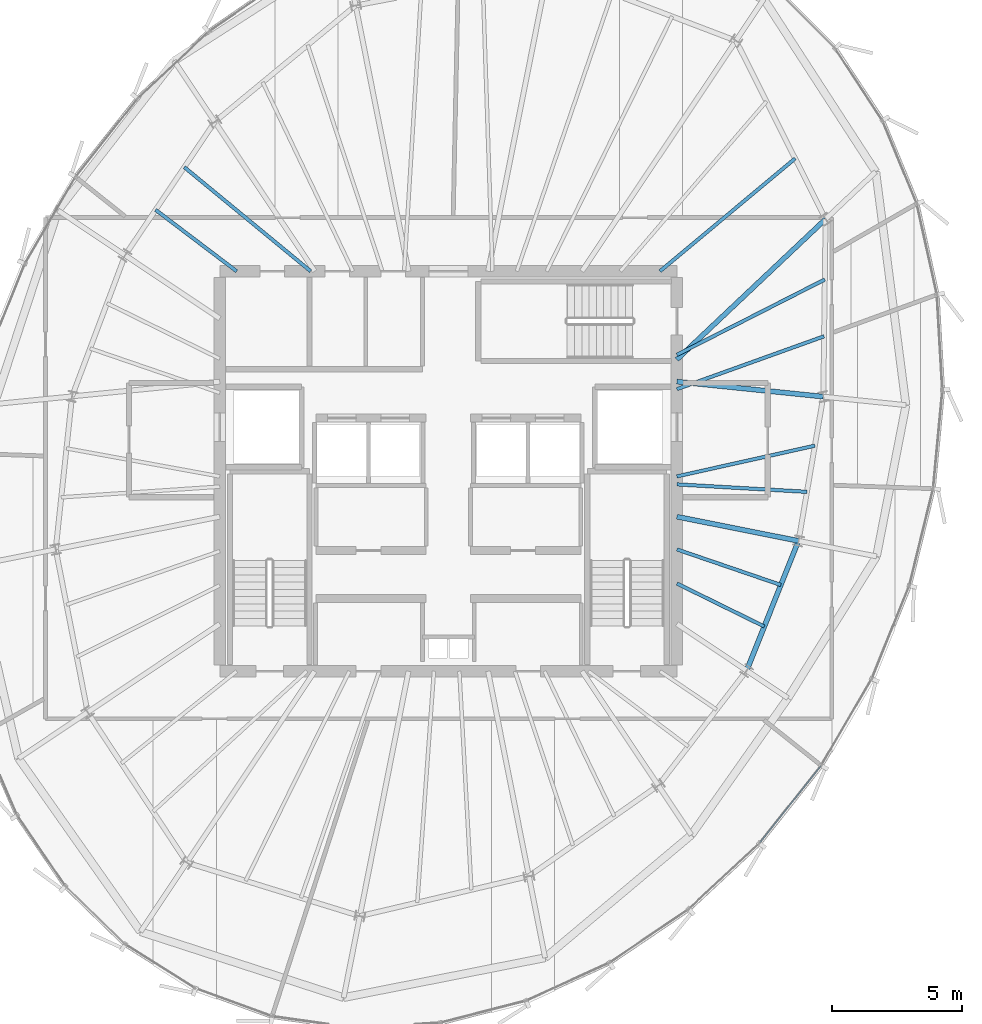
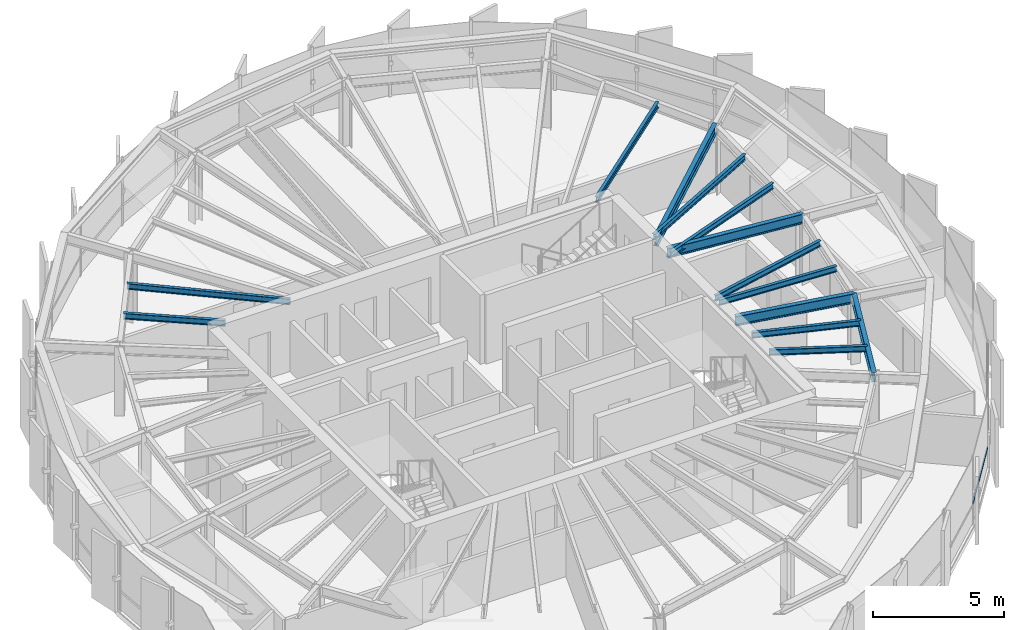
# One storey, part 13 of 31: 13 beams, 1 member, 1 element without a shape of its own.
"""IFC4 building model written with IfcOpenShell, lengths in metres."""

import ifcopenshell
import ifcopenshell.guid

model = None  # the IFC model being written
_history = None  # IfcOwnerHistory: only IFC2X3 demands one
_inside = {}  # id of a spatial element -> (the spatial element, [elements in it])
_under = {}  # id of a project, library or spatial element -> (it, [spatial elements below it])
_declared = {}  # id of a project -> (the project, [libraries it declares])
_typed = {}  # id of a type object -> (the type object, [elements of that type])
_made_of = {}  # id of a material, layer set ... -> (it, [elements and type objects made of it])


def new_model(schema):
    """Start an empty IFC model of exactly this schema.

    Asked for "IFC4X3", IfcOpenShell would pick the latest addendum, in which some entities
    have other attributes; the version numbers below select the first issue.
    IFC2X3 requires an IfcOwnerHistory on every rooted entity: one is made here for all.
    """
    global model, _history
    if schema == "IFC4X3":
        model = ifcopenshell.file(schema_version=(4, 3, 0, 0))
    else:
        model = ifcopenshell.file(schema=schema)
    _inside.clear()
    _under.clear()
    _declared.clear()
    _typed.clear()
    _made_of.clear()
    _history = None
    if model.schema == "IFC2X3":
        org = make("IfcOrganization", Name="unknown")
        user = make(
            "IfcPersonAndOrganization",
            ThePerson=make("IfcPerson", FamilyName="unknown"),
            TheOrganization=org,
        )
        app = make(
            "IfcApplication",
            ApplicationDeveloper=org,
            Version="unknown",
            ApplicationFullName="unknown",
            ApplicationIdentifier="unknown",
        )
        _history = make(
            "IfcOwnerHistory",
            OwningUser=user,
            OwningApplication=app,
            ChangeAction="ADDED",
            CreationDate=0,
        )
    return model


def make(cls, **values):
    """One entity of the class cls with the attributes given. An attribute that is None is left unset."""
    return model.create_entity(
        cls, **{name: value for name, value in values.items() if value is not None}
    )


def rooted(cls, **values):
    """An entity with a GlobalId (a new one), such as an element, a storey or a relation."""
    return make(cls, GlobalId=ifcopenshell.guid.new(), OwnerHistory=_history, **values)


def si_unit(unit_type, name, prefix=None):
    """IfcSIUnit, for example si_unit("LENGTHUNIT", "METRE", prefix="MILLI")."""
    return make("IfcSIUnit", UnitType=unit_type, Prefix=prefix, Name=name)


def assignment(units):
    """IfcUnitAssignment: the units of a project."""
    return None if units is None else make("IfcUnitAssignment", Units=units)


def point(xyz):
    """IfcCartesianPoint."""
    return None if xyz is None else make("IfcCartesianPoint", Coordinates=xyz)


def direction(xyz):
    """IfcDirection."""
    return None if xyz is None else make("IfcDirection", DirectionRatios=xyz)


def frame(location, z_axis=None, x_axis=None):
    """IfcAxis2Placement3D, a coordinate frame: its origin and axes. An axis left out is left unset."""
    return make(
        "IfcAxis2Placement3D",
        Location=point(location),
        Axis=direction(z_axis),
        RefDirection=direction(x_axis),
    )


def frame_2d(location, x_axis=None):
    """IfcAxis2Placement2D, a coordinate frame in the plane: its origin and x axis."""
    return make(
        "IfcAxis2Placement2D", Location=point(location), RefDirection=direction(x_axis)
    )


def origin():
    """The frame at (0, 0, 0) with its axes left unset."""
    return frame((0.0, 0.0, 0.0))


def origin_2d():
    """The frame at (0, 0) in the plane with its x axis left unset."""
    return frame_2d((0.0, 0.0))


def place(relative_to, where):
    """IfcLocalPlacement: puts the frame where relative to a parent placement (None: the world)."""
    return make(
        "IfcLocalPlacement", PlacementRelTo=relative_to, RelativePlacement=where
    )


def context(
    kind, dimensions, precision=None, world=None, true_north=None, identifier=None
):
    """IfcGeometricRepresentationContext, for example the 3D "Model" context."""
    return make(
        "IfcGeometricRepresentationContext",
        ContextIdentifier=identifier,
        ContextType=kind,
        CoordinateSpaceDimension=dimensions,
        Precision=precision,
        WorldCoordinateSystem=world,
        TrueNorth=true_north,
    )


def subcontext(parent, identifier, kind, view, scale=None):
    """IfcGeometricRepresentationSubContext, for example "Body" below "Model"."""
    return make(
        "IfcGeometricRepresentationSubContext",
        ContextIdentifier=identifier,
        ContextType=kind,
        ParentContext=parent,
        TargetScale=scale,
        TargetView=view,
    )


def project(units=None, contexts=None):
    """IfcProject with its units and contexts."""
    return rooted(
        "IfcProject",
        Name="project",
        RepresentationContexts=contexts,
        UnitsInContext=assignment(units),
    )


def spatial(cls, under=None, at=None, **own):
    """A site, building, storey or space (cls), placed at a placement, below another one or the project."""
    s = rooted(cls, ObjectPlacement=at, **own)
    if under is not None:
        _under.setdefault(under.id(), (under, []))[1].append(s)
    return s


def profile(cls, at=None, kind="AREA", **sizes):
    """A parametric profile (cls). Its sizes go by their IFC names, for example OverallWidth=200.0."""
    return make(cls, ProfileType=kind, Position=at, **sizes)


def hollow_rectangle(**sizes):
    """IfcRectangleHollowProfileDef."""
    return profile("IfcRectangleHollowProfileDef", **sizes)


def i_section(**sizes):
    """IfcIShapeProfileDef."""
    return profile("IfcIShapeProfileDef", **sizes)


def extrude(swept, where, along, depth):
    """IfcExtrudedAreaSolid: the profile swept, set in the frame where, extruded along a direction by depth."""
    return make(
        "IfcExtrudedAreaSolid",
        SweptArea=swept,
        Position=where,
        ExtrudedDirection=direction(along),
        Depth=depth,
    )


def shape(context_of_items, identifier, shape_type, items):
    """IfcShapeRepresentation: the items that make up one representation, for example the "Body"."""
    return make(
        "IfcShapeRepresentation",
        ContextOfItems=context_of_items,
        RepresentationIdentifier=identifier,
        RepresentationType=shape_type,
        Items=items,
    )


def source(mapping_origin, context_of_items, identifier, shape_type, items):
    """IfcRepresentationMap: a shape defined once, which mapped items show again and again."""
    return make(
        "IfcRepresentationMap",
        MappingOrigin=mapping_origin,
        MappedRepresentation=shape(context_of_items, identifier, shape_type, items),
    )


def transform(
    local_origin,
    x_axis=None,
    y_axis=None,
    z_axis=None,
    scale=None,
    scale2=None,
    scale3=None,
    uniform=True,
):
    """IfcCartesianTransformationOperator3D, or its non-uniform kind. x_axis, y_axis, z_axis: its Axis1, 2, 3."""
    if uniform:
        return make(
            "IfcCartesianTransformationOperator3D",
            Axis1=direction(x_axis),
            Axis2=direction(y_axis),
            LocalOrigin=point(local_origin),
            Scale=scale,
            Axis3=direction(z_axis),
        )
    return make(
        "IfcCartesianTransformationOperator3DnonUniform",
        Axis1=direction(x_axis),
        Axis2=direction(y_axis),
        LocalOrigin=point(local_origin),
        Scale=scale,
        Axis3=direction(z_axis),
        Scale2=scale2,
        Scale3=scale3,
    )


def mapped(mapping_source, mapping_target):
    """IfcMappedItem: shows the shape of a source again, moved by a transform."""
    return make(
        "IfcMappedItem", MappingSource=mapping_source, MappingTarget=mapping_target
    )


def material(Name=None, Category=None):
    """IfcMaterial."""
    return make("IfcMaterial", Name=Name, Category=Category)


def layer(
    of_material, thickness, ventilated=None, Name=None, Category=None, Priority=None
):
    """IfcMaterialLayer: one layer of a wall or slab, of a material (None: an air gap)."""
    return make(
        "IfcMaterialLayer",
        Material=of_material,
        LayerThickness=thickness,
        IsVentilated=ventilated,
        Name=Name,
        Category=Category,
        Priority=Priority,
    )


def layer_set(layers, Name=None):
    """IfcMaterialLayerSet."""
    return make("IfcMaterialLayerSet", MaterialLayers=layers, LayerSetName=Name)


def material_profile(
    of_material, cross_section, Name=None, Category=None, Priority=None
):
    """IfcMaterialProfile: a cross section and its material."""
    return make(
        "IfcMaterialProfile",
        Name=Name,
        Material=of_material,
        Profile=cross_section,
        Priority=Priority,
        Category=Category,
    )


def profile_set(profiles, Name=None, composite=None):
    """IfcMaterialProfileSet."""
    return make(
        "IfcMaterialProfileSet",
        Name=Name,
        MaterialProfiles=profiles,
        CompositeProfile=composite,
    )


def made_of(thing, what):
    """Note that an element or type object is made of a material, layer set ...; save() writes the relation."""
    if what is not None:
        _made_of.setdefault(what.id(), (what, []))[1].append(thing)
    return thing


def type_object(cls, material=None, **own):
    """A type object (cls), such as IfcWallType, which elements share."""
    return made_of(rooted(cls, **own), material)


def element(
    cls,
    number,
    at=None,
    inside=None,
    cuts=None,
    type_object=None,
    material=None,
    context=None,
    identifier="Body",
    shape_type=None,
    held_by="IfcProductDefinitionShape",
    body=None,
    shapes=None,
    **own,
):
    """One element of the class cls, such as IfcWall. Its Tag is "e" and its number.

    at: its placement. inside: the storey or other place that contains it. cuts: it is an
    opening in that element (IfcRelVoidsElement). A single representation is given by context,
    identifier, shape_type and body (its items); several are given by shapes. held_by: the class
    of the entity that holds the representations. save() writes the other relations.
    """
    e = rooted(cls, Tag="e%d" % number, ObjectPlacement=at, **own)
    if body is not None:
        shapes = [shape(context, identifier, shape_type, body)]
    if shapes is not None:
        e.Representation = make(held_by, Representations=shapes)
    if inside is not None:
        _inside.setdefault(inside.id(), (inside, []))[1].append(e)
    if cuts is not None:
        rooted(
            "IfcRelVoidsElement", RelatingBuildingElement=cuts, RelatedOpeningElement=e
        )
    if type_object is not None:
        _typed.setdefault(type_object.id(), (type_object, []))[1].append(e)
    return made_of(e, material)


def aggregate(whole, parts):
    """IfcRelAggregates: a whole, such as a stair, and the parts it consists of."""
    return rooted("IfcRelAggregates", RelatingObject=whole, RelatedObjects=parts)


def save(model, path):
    """Write the relations noted so far, then the file.

    IfcRelAggregates (storeys below a building ...), IfcRelContainedInSpatialStructure (elements
    in a storey), IfcRelDefinesByType, IfcRelAssociatesMaterial and IfcRelDeclares: one each for
    every whole, place, type object, material and project.
    """
    for whole, parts in _under.values():
        aggregate(whole, parts)
    for where, things in _inside.values():
        rooted(
            "IfcRelContainedInSpatialStructure",
            RelatedElements=things,
            RelatingStructure=where,
        )
    for kind, things in _typed.values():
        rooted("IfcRelDefinesByType", RelatedObjects=things, RelatingType=kind)
    for what, things in _made_of.values():
        rooted("IfcRelAssociatesMaterial", RelatedObjects=things, RelatingMaterial=what)
    for by, libraries in _declared.values():
        rooted("IfcRelDeclares", RelatingContext=by, RelatedDefinitions=libraries)
    model.write(path)


model = new_model("IFC4")

# Units and contexts
model_context = context("Model", 3, precision=1e-05, world=origin(), true_north=direction((0.0, 1.0)))
body_context = subcontext(model_context, "Body", "Model", "MODEL_VIEW")
ifc_project = project(units=[si_unit("LENGTHUNIT", "METRE"), si_unit("AREAUNIT", "SQUARE_METRE"), si_unit("VOLUMEUNIT", "CUBIC_METRE"), si_unit("PLANEANGLEUNIT", "RADIAN"), si_unit("MASSUNIT", "GRAM", prefix="KILO"), si_unit("THERMODYNAMICTEMPERATUREUNIT", "KELVIN")], contexts=[model_context])

# Site, building, storey
site_placement = place(None, origin())
site = spatial("IfcSite", under=ifc_project, at=site_placement, CompositionType="ELEMENT")
building_placement = place(site_placement, origin())
building = spatial("IfcBuilding", under=site, at=building_placement, Name="Kethvar Cultural Tower", CompositionType="ELEMENT")
storey_placement = place(building_placement, frame((0.0, 0.0, 290.5)))
storey = spatial("IfcBuildingStorey", under=building, at=storey_placement, Name="L77", CompositionType="ELEMENT", Elevation=290.5)

# Beams
ifc_material_1 = material(Name="Steel S355J2", Category="steel")
ifc_material_profile_1 = material_profile(ifc_material_1, i_section(OverallWidth=0.18994140625, OverallDepth=0.449951171875, WebThickness=0.009521484375, FlangeThickness=0.0146484375, FilletRadius=0.02099609375, at=origin_2d()), Name="Steel S355J2 — IPE450")
ifc_profile_set_1 = profile_set([ifc_material_profile_1], Name="Steel S355J2 — IPE450")
beam_type_1 = type_object("IfcBeamType", Name="BM-IPE450", PredefinedType="BEAM", material=ifc_profile_set_1)
shared_shape_1 = source(origin(), body_context, "Body", "SweptSolid", [
    extrude(i_section(OverallWidth=0.18994140625, OverallDepth=0.449951171875, WebThickness=0.009521484375, FlangeThickness=0.0146484375, FilletRadius=0.02099609375, at=origin_2d()), origin(), (0.0, 0.0, 1.0), 5.66650390625),
])
beam_1_placement = place(storey_placement, frame((55.60009765625, 31.25, 2.98291015625), z_axis=(0.994777513459, -0.102067128476, 0.0), x_axis=(0.102067128476, 0.994777513459, 0.0)))
element("IfcBeam", 1, at=beam_1_placement, inside=storey, type_object=beam_type_1, Name="L77 Primary Radial Beam RB-01", PredefinedType="BEAM", context=body_context, shape_type="MappedRepresentation", body=[
    mapped(shared_shape_1, transform((0.0, 0.0, 0.0), scale=1.0)),
])
shared_shape_2 = source(origin(), body_context, "Body", "SweptSolid", [
    extrude(i_section(OverallWidth=0.18994140625, OverallDepth=0.449951171875, WebThickness=0.009521484375, FlangeThickness=0.0146484375, FilletRadius=0.02099609375, at=origin_2d()), origin(), (0.0, 0.0, 1.0), 7.874267578125),
])
beam_2_placement = place(storey_placement, frame((55.60009765625, 32.10009765625, 2.98291015625), z_axis=(0.727123202456, 0.686506990823, 0.0), x_axis=(-0.686506990823, 0.727123202456, 0.0)))
element("IfcBeam", 2, at=beam_2_placement, inside=storey, type_object=beam_type_1, Name="L77 Primary Radial Beam RB-02", PredefinedType="BEAM", context=body_context, shape_type="MappedRepresentation", body=[
    mapped(shared_shape_2, transform((0.0, 0.0, 0.0), scale=1.0)),
])
shared_shape_3 = source(origin(), body_context, "Body", "SweptSolid", [
    extrude(i_section(OverallWidth=0.18994140625, OverallDepth=0.449951171875, WebThickness=0.009521484375, FlangeThickness=0.0146484375, FilletRadius=0.02099609375, at=origin_2d()), origin(), (0.0, 0.0, 1.0), 4.775390625),
])
beam_3_placement = place(storey_placement, frame((55.60009765625, 26.049560546875, 2.98291015625), z_axis=(0.980784643133, -0.195093525761, 0.0), x_axis=(0.195093525761, 0.980784643133, 0.0)))
element("IfcBeam", 3, at=beam_3_placement, inside=storey, type_object=beam_type_1, Name="L77 Primary Radial Beam RB-16", PredefinedType="BEAM", context=body_context, shape_type="MappedRepresentation", body=[
    mapped(shared_shape_3, transform((0.0, 0.0, 0.0), scale=1.0)),
])
ifc_material_profile_2 = material_profile(ifc_material_1, i_section(OverallWidth=0.135009765625, OverallDepth=0.27001953125, WebThickness=0.006591796875, FlangeThickness=0.01025390625, FilletRadius=0.014892578125, at=origin_2d()), Name="Steel S355J2 — IPE270")
ifc_profile_set_2 = profile_set([ifc_material_profile_2], Name="Steel S355J2 — IPE270")
beam_type_2 = type_object("IfcBeamType", Name="BM-J270", PredefinedType="JOIST", material=ifc_profile_set_2)
shared_shape_4 = source(origin(), body_context, "Body", "SweptSolid", [
    extrude(i_section(OverallWidth=0.135009765625, OverallDepth=0.27001953125, WebThickness=0.006591796875, FlangeThickness=0.01025390625, FilletRadius=0.014892578125, at=origin_2d()), origin(), (0.0, 0.0, 1.0), 6.021240234375),
])
beam_4_placement = place(storey_placement, frame((55.60009765625, 30.960205078125, 3.072998046875), z_axis=(0.94114970072, 0.337990001086, 0.0), x_axis=(-0.337990001086, 0.94114970072, 0.0)))
element("IfcBeam", 4, at=beam_4_placement, inside=storey, type_object=beam_type_2, Name="L77 Composite Floor Joist J-01A", PredefinedType="JOIST", context=body_context, shape_type="MappedRepresentation", body=[
    mapped(shared_shape_4, transform((0.0, 0.0, 0.0), scale=1.0)),
])
shared_shape_5 = source(origin(), body_context, "Body", "SweptSolid", [
    extrude(i_section(OverallWidth=0.135009765625, OverallDepth=0.27001953125, WebThickness=0.006591796875, FlangeThickness=0.01025390625, FilletRadius=0.014892578125, at=origin_2d()), origin(), (0.0, 0.0, 1.0), 6.3916015625),
])
beam_5_placement = place(storey_placement, frame((55.60009765625, 32.281494140625, 3.072998046875), z_axis=(0.891094874615, 0.453817060538, 0.0), x_axis=(-0.453817060538, 0.891094874615, 0.0)))
element("IfcBeam", 5, at=beam_5_placement, inside=storey, type_object=beam_type_2, Name="L77 Composite Floor Joist J-01B", PredefinedType="JOIST", context=body_context, shape_type="MappedRepresentation", body=[
    mapped(shared_shape_5, transform((0.0, 0.0, 0.0), scale=1.0)),
])
shared_shape_6 = source(origin(), body_context, "Body", "SweptSolid", [
    extrude(i_section(OverallWidth=0.135009765625, OverallDepth=0.27001953125, WebThickness=0.006591796875, FlangeThickness=0.01025390625, FilletRadius=0.014892578125, at=origin_2d()), origin(), (0.0, 0.0, 1.0), 6.776123046875),
])
beam_6_placement = place(storey_placement, frame((54.949951171875, 35.5, 3.072998046875), z_axis=(0.767801747857, 0.6406875026, 0.0), x_axis=(-0.6406875026, 0.767801747857, 0.0)))
element("IfcBeam", 6, at=beam_6_placement, inside=storey, type_object=beam_type_2, Name="L77 Composite Floor Joist J-02A", PredefinedType="JOIST", context=body_context, shape_type="MappedRepresentation", body=[
    mapped(shared_shape_6, transform((0.0, 0.0, 0.0), scale=1.0)),
])
shared_shape_7 = source(origin(), body_context, "Body", "SweptSolid", [
    extrude(i_section(OverallWidth=0.135009765625, OverallDepth=0.27001953125, WebThickness=0.006591796875, FlangeThickness=0.01025390625, FilletRadius=0.014892578125, at=origin_2d()), origin(), (0.0, 0.0, 1.0), 6.302978515625),
])
beam_7_placement = place(storey_placement, frame((41.5, 35.5, 3.072998046875), z_axis=(-0.771828477148, 0.635830796567, 0.0), x_axis=(-0.635830796567, -0.771828477148, 0.0)))
element("IfcBeam", 7, at=beam_7_placement, inside=storey, type_object=beam_type_2, Name="L77 Composite Floor Joist J-06A", PredefinedType="JOIST", context=body_context, shape_type="MappedRepresentation", body=[
    mapped(shared_shape_7, transform((0.0, 0.0, 0.0), scale=1.0)),
])
shared_shape_8 = source(origin(), body_context, "Body", "SweptSolid", [
    extrude(i_section(OverallWidth=0.135009765625, OverallDepth=0.27001953125, WebThickness=0.006591796875, FlangeThickness=0.01025390625, FilletRadius=0.014892578125, at=origin_2d()), origin(), (0.0, 0.0, 1.0), 3.91357421875),
])
beam_8_placement = place(storey_placement, frame((38.64990234375, 35.5, 3.072998046875), z_axis=(-0.797214062325, 0.603696727531, 0.0), x_axis=(-0.603696727531, -0.797214062325, 0.0)))
element("IfcBeam", 8, at=beam_8_placement, inside=storey, type_object=beam_type_2, Name="L77 Composite Floor Joist J-06B", PredefinedType="JOIST", context=body_context, shape_type="MappedRepresentation", body=[
    mapped(shared_shape_8, transform((0.0, 0.0, 0.0), scale=1.0)),
])
shared_shape_9 = source(origin(), body_context, "Body", "SweptSolid", [
    extrude(i_section(OverallWidth=0.18994140625, OverallDepth=0.449951171875, WebThickness=0.009521484375, FlangeThickness=0.0146484375, FilletRadius=0.02099609375, at=origin_2d()), origin(), (0.0, 0.0, 1.0), 5.377685546875),
])
beam_9_placement = place(storey_placement, frame((58.287109375, 20.12451171875, 2.98291015625), z_axis=(0.371265436914, 0.928526776864, 0.0), x_axis=(-0.928526776864, 0.371265436914, 0.0)))
element("IfcBeam", 9, at=beam_9_placement, inside=storey, type_object=beam_type_1, Name="L77 Column Ring Tie Beam CR-15", PredefinedType="BEAM", context=body_context, shape_type="MappedRepresentation", body=[
    mapped(shared_shape_9, transform((0.0, 0.0, 0.0), scale=1.0)),
])
shared_shape_10 = source(origin(), body_context, "Body", "SweptSolid", [
    extrude(i_section(OverallWidth=0.135009765625, OverallDepth=0.27001953125, WebThickness=0.006591796875, FlangeThickness=0.01025390625, FilletRadius=0.014892578125, at=origin_2d()), origin(), (0.0, 0.0, 1.0), 3.75),
])
beam_10_placement = place(storey_placement, frame((55.60009765625, 23.476318359375, 3.072998046875), z_axis=(0.8975046019, -0.441005090184, 0.0), x_axis=(0.441005090184, 0.8975046019, 0.0)))
element("IfcBeam", 10, at=beam_10_placement, inside=storey, type_object=beam_type_2, Name="L77 Composite Floor Joist J-15A", PredefinedType="JOIST", context=body_context, shape_type="MappedRepresentation", body=[
    mapped(shared_shape_10, transform((0.0, 0.0, 0.0), scale=1.0)),
])
shared_shape_11 = source(origin(), body_context, "Body", "SweptSolid", [
    extrude(i_section(OverallWidth=0.135009765625, OverallDepth=0.27001953125, WebThickness=0.006591796875, FlangeThickness=0.01025390625, FilletRadius=0.014892578125, at=origin_2d()), origin(), (0.0, 0.0, 1.0), 4.232421875),
])
beam_11_placement = place(storey_placement, frame((55.60009765625, 24.7900390625, 3.072998046875), z_axis=(0.946173747357, -0.323659141402, 0.0), x_axis=(0.323659141402, 0.946173747357, 0.0)))
element("IfcBeam", 11, at=beam_11_placement, inside=storey, type_object=beam_type_2, Name="L77 Composite Floor Joist J-15B", PredefinedType="JOIST", context=body_context, shape_type="MappedRepresentation", body=[
    mapped(shared_shape_11, transform((0.0, 0.0, 0.0), scale=1.0)),
])
shared_shape_12 = source(origin(), body_context, "Body", "SweptSolid", [
    extrude(i_section(OverallWidth=0.135009765625, OverallDepth=0.27001953125, WebThickness=0.006591796875, FlangeThickness=0.01025390625, FilletRadius=0.014892578125, at=origin_2d()), origin(), (0.0, 0.0, 1.0), 5.01611328125),
])
beam_12_placement = place(storey_placement, frame((55.60009765625, 27.294189453125, 3.072998046875), z_axis=(0.998352190078, -0.057383835418, 0.0), x_axis=(0.057383835418, 0.998352190078, 0.0)))
element("IfcBeam", 12, at=beam_12_placement, inside=storey, type_object=beam_type_2, Name="L77 Composite Floor Joist J-16A", PredefinedType="JOIST", context=body_context, shape_type="MappedRepresentation", body=[
    mapped(shared_shape_12, transform((0.0, 0.0, 0.0), scale=1.0)),
])
shared_shape_13 = source(origin(), body_context, "Body", "SweptSolid", [
    extrude(i_section(OverallWidth=0.135009765625, OverallDepth=0.27001953125, WebThickness=0.006591796875, FlangeThickness=0.01025390625, FilletRadius=0.014892578125, at=origin_2d()), origin(), (0.0, 0.0, 1.0), 5.44287109375),
])
beam_13_placement = place(storey_placement, frame((55.60009765625, 27.60009765625, 3.072998046875), z_axis=(0.976080346759, 0.217410111702, 0.0), x_axis=(-0.217410111702, 0.976080346759, 0.0)))
element("IfcBeam", 13, at=beam_13_placement, inside=storey, type_object=beam_type_2, Name="L77 Composite Floor Joist J-16B", PredefinedType="JOIST", context=body_context, shape_type="MappedRepresentation", body=[
    mapped(shared_shape_13, transform((0.0, 0.0, 0.0), scale=1.0)),
])

# Curtain wall, member
ifc_material_2 = material(Name="Aluminium 6063-T6", Category="aluminium")
ifc_layer = layer(ifc_material_2, 0.179931640625, Name="Aluminium 6063-T6", Category="aluminium")
ifc_layer_set = layer_set([ifc_layer], Name="Aluminium 6063-T6 (180 mm)")
curtain_wall_type = type_object("IfcCurtainWallType", Name="CW-SYS-05-Z56", PredefinedType="NOTDEFINED", material=ifc_layer_set)
curtain_wall_placement = place(storey_placement, origin())
curtain_wall = element("IfcCurtainWall", 14, at=curtain_wall_placement, inside=storey, type_object=curtain_wall_type, Name="L77 Curtain Wall Run 05", PredefinedType="NOTDEFINED")
ifc_material_profile_3 = material_profile(ifc_material_2, hollow_rectangle(XDim=0.050048828125, YDim=0.10009765625, WallThickness=0.00390625, at=origin_2d()), Name="Aluminium 6063-T6 — RHS100x50x4")
ifc_profile_set_3 = profile_set([ifc_material_profile_3], Name="Aluminium 6063-T6 — RHS100x50x4")
member_type = type_object("IfcMemberType", Name="CW-SYS-05-Z56-TRN", PredefinedType="USERDEFINED", material=ifc_profile_set_3)
shared_shape_14 = source(origin(), body_context, "Body", "SweptSolid", [
    extrude(hollow_rectangle(XDim=0.050048828125, YDim=0.10009765625, WallThickness=0.00390625, at=origin_2d()), origin(), (0.0, 0.0, 1.0), 3.759521484375),
])
member_placement = place(storey_placement, frame((58.800048828125, 13.50732421875, 0.949951171875), z_axis=(0.622379829763, 0.782715368128, 0.0), x_axis=(-0.782715368128, 0.622379829763, 0.0)))
member = element("IfcMember", 15, at=member_placement, type_object=member_type, Name="CW-L77-R05 Transom 2", ObjectType="TRANSOM", PredefinedType="USERDEFINED", context=body_context, shape_type="MappedRepresentation", body=[
    mapped(shared_shape_14, transform((0.0, 0.0, 0.0), scale=1.0)),
])
aggregate(curtain_wall, [member])

save(model, "model.ifc")
